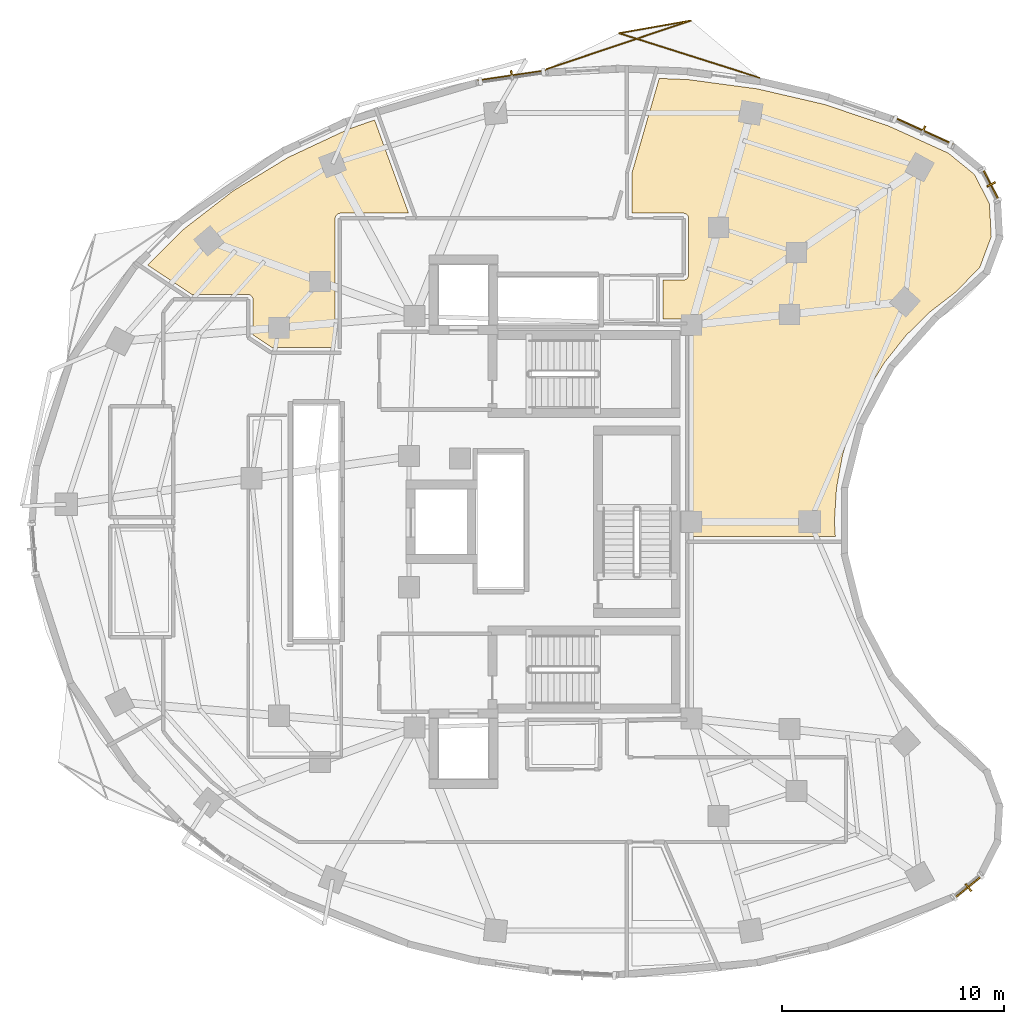
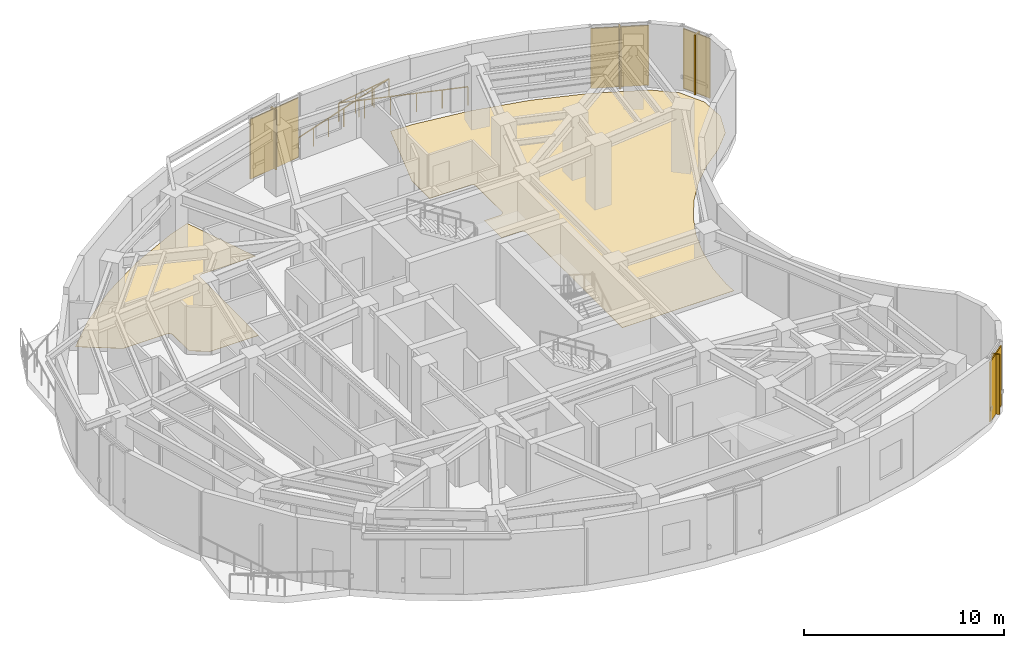
# One storey, part 13 of 13: 8 shading devices, 2 coverings, 1 railing.
"""IFC4 building model written with IfcOpenShell, lengths in metres."""

from ifc_helpers import new_model, si_unit, direction, frame, origin, origin_2d, place, context, subcontext, project, spatial, polyline, rectangle, outline, extrude, material, layer, layer_set, type_object, element, save


model = new_model("IFC4")

# Units and contexts
model_context = context("Model", 3, precision=1e-05, world=origin(), true_north=direction((0.0, 1.0)))
body_context = subcontext(model_context, "Body", "Model", "MODEL_VIEW")
ifc_project = project(units=[si_unit("LENGTHUNIT", "METRE"), si_unit("AREAUNIT", "SQUARE_METRE"), si_unit("VOLUMEUNIT", "CUBIC_METRE"), si_unit("PLANEANGLEUNIT", "RADIAN"), si_unit("MASSUNIT", "GRAM", prefix="KILO")], contexts=[model_context])

# Site, building, storey
site_placement = place(None, origin())
site = spatial("IfcSite", under=ifc_project, at=site_placement, CompositionType="ELEMENT")
building_placement = place(site_placement, origin())
building = spatial("IfcBuilding", under=site, at=building_placement, Name="Korentha Bioscience Tower", CompositionType="ELEMENT")
storey_placement = place(building_placement, frame((0.0, 0.0, 166.800048828125)))
storey = spatial("IfcBuildingStorey", under=building, at=storey_placement, Name="L38", CompositionType="ELEMENT", Elevation=166.800048828125)

# Railing
ifc_material_1 = material(Name="Laminated Tempered Safety Glass", Category="glass")
railing_type = type_object("IfcRailingType", Name="Laminated Glass Balcony Guardrail 1150", PredefinedType="BALUSTRADE", material=ifc_material_1)
railing_placement = place(storey_placement, frame((40.608154296875, 46.978515625, 0.0)))
element("IfcRailing", 1, at=railing_placement, inside=storey, type_object=railing_type, Name="L38 Balcony Guardrail 01", PredefinedType="BALUSTRADE", context=body_context, shape_type="SweptSolid", body=[
    extrude(rectangle(XDim=0.048095703125, YDim=0.048095703125, at=origin_2d()), frame((0.0, 0.0, 1.1259765625), z_axis=(-0.953172040784, 0.302428604249, 0.0), x_axis=(-0.302428604249, -0.953172040784, 0.0)), (0.0, 0.0, 1.0), 6.618896484375),
    extrude(rectangle(XDim=0.048095703125, YDim=0.048095703125, at=origin_2d()), frame((-6.308837890625, 2.001708984375, 1.1259765625), z_axis=(0.984798526591, 0.173700495176, 0.0), x_axis=(-0.173700495176, 0.984798526591, 0.0)), (0.0, 0.0, 1.0), 3.283203125),
    extrude(rectangle(XDim=0.048095703125, YDim=0.048095703125, at=origin_2d()), frame((-3.075439453125, 2.572021484375, 1.1259765625), z_axis=(-0.947727750915, -0.319080099891, 0.0), x_axis=(0.319080099891, -0.947727750915, 0.0)), (0.0, 0.0, 1.0), 6.8525390625),
    extrude(rectangle(XDim=0.0419921875, YDim=0.0419921875, at=origin_2d()), origin(), (0.0, 0.0, 1.0), 1.101806640625),
    extrude(rectangle(XDim=0.0419921875, YDim=0.0419921875, at=origin_2d()), frame((-1.26171875, 0.400390625, 0.0)), (0.0, 0.0, 1.0), 1.101806640625),
    extrude(rectangle(XDim=0.0419921875, YDim=0.0419921875, at=origin_2d()), frame((-2.5234375, 0.80078125, 0.0)), (0.0, 0.0, 1.0), 1.101806640625),
    extrude(rectangle(XDim=0.0419921875, YDim=0.0419921875, at=origin_2d()), frame((-3.785400390625, 1.200927734375, 0.0)), (0.0, 0.0, 1.0), 1.101806640625),
    extrude(rectangle(XDim=0.0419921875, YDim=0.0419921875, at=origin_2d()), frame((-5.047119140625, 1.601318359375, 0.0)), (0.0, 0.0, 1.0), 1.101806640625),
    extrude(rectangle(XDim=0.0419921875, YDim=0.0419921875, at=origin_2d()), frame((-6.308837890625, 2.001708984375, 0.0)), (0.0, 0.0, 1.0), 1.101806640625),
    extrude(rectangle(XDim=0.0419921875, YDim=0.0419921875, at=origin_2d()), frame((-5.23095703125, 2.19189453125, 0.0)), (0.0, 0.0, 1.0), 1.101806640625),
    extrude(rectangle(XDim=0.0419921875, YDim=0.0419921875, at=origin_2d()), frame((-4.1533203125, 2.3818359375, 0.0)), (0.0, 0.0, 1.0), 1.101806640625),
    extrude(rectangle(XDim=0.0419921875, YDim=0.0419921875, at=origin_2d()), frame((-3.075439453125, 2.572021484375, 0.0)), (0.0, 0.0, 1.0), 1.101806640625),
    extrude(rectangle(XDim=0.0419921875, YDim=0.0419921875, at=origin_2d()), frame((-4.15771484375, 2.20751953125, 0.0)), (0.0, 0.0, 1.0), 1.101806640625),
    extrude(rectangle(XDim=0.0419921875, YDim=0.0419921875, at=origin_2d()), frame((-5.240234375, 1.84326171875, 0.0)), (0.0, 0.0, 1.0), 1.101806640625),
    extrude(rectangle(XDim=0.0419921875, YDim=0.0419921875, at=origin_2d()), frame((-6.32275390625, 1.478759765625, 0.0)), (0.0, 0.0, 1.0), 1.101806640625),
    extrude(rectangle(XDim=0.0419921875, YDim=0.0419921875, at=origin_2d()), frame((-7.405029296875, 1.1142578125, 0.0)), (0.0, 0.0, 1.0), 1.101806640625),
    extrude(rectangle(XDim=0.0419921875, YDim=0.0419921875, at=origin_2d()), frame((-8.4873046875, 0.75, 0.0)), (0.0, 0.0, 1.0), 1.101806640625),
    extrude(rectangle(XDim=0.0419921875, YDim=0.0419921875, at=origin_2d()), frame((-9.56982421875, 0.385498046875, 0.0)), (0.0, 0.0, 1.0), 1.101806640625),
])

# Shading devices
ifc_material_2 = material(Name="Perforated Stone-Ceramic Composite", Category="masonry")
ifc_layer_1 = layer(ifc_material_2, 0.06494140625, Name="Perforated Stone-Ceramic Composite")
ifc_layer_set_1 = layer_set([ifc_layer_1], Name="Perforated Stone-Ceramic Composite (CS-01)")
shading_device_type_1 = type_object("IfcShadingDeviceType", Name="Perforated Stone-Ceramic Solar Screen Panel 65", PredefinedType="USERDEFINED", material=ifc_layer_set_1)
shading_device_1_placement = place(storey_placement, frame((47.978271484375, 44.59423828125, 0.0), z_axis=(0.0, 0.0, 1.0), x_axis=(-0.910644398392, 0.413190972406, 0.0)))
element("IfcShadingDevice", 2, at=shading_device_1_placement, inside=storey, type_object=shading_device_type_1, Name="CW-L38-01 Perforated Stone-Ceramic Solar Screen", ObjectType="SCREEN", PredefinedType="USERDEFINED", context=body_context, shape_type="SweptSolid", body=[
    extrude(rectangle(XDim=2.935302734375, YDim=0.06494140625, at=origin_2d()), origin(), (0.0, 0.0, 1.0), 3.64990234375),
])
shading_device_2_placement = place(storey_placement, frame((29.470703125, 47.073974609375, 0.0), z_axis=(0.0, 0.0, 1.0), x_axis=(-0.989461919888, -0.144793332342, 0.0)))
element("IfcShadingDevice", 3, at=shading_device_2_placement, inside=storey, type_object=shading_device_type_1, Name="CW-L38-07 Perforated Stone-Ceramic Solar Screen", ObjectType="SCREEN", PredefinedType="USERDEFINED", context=body_context, shape_type="SweptSolid", body=[
    extrude(rectangle(XDim=3.086669921875, YDim=0.06494140625, at=origin_2d()), origin(), (0.0, 0.0, 1.0), 3.64990234375),
])
for number, where, z_axis, x_axis, name in (
    (4, (50.002197265625, 10.56005859375, 0.0), (0.0, 0.0, 1.0), (0.77425646139, 0.632871971251, 0.0), "CW-L38-37 Perforated Stone-Ceramic Solar Screen"),
    (5, (51.02587890625, 42.170166015625, 0.0), (0.0, 0.0, 1.0), (-0.45428845847, 0.890854643868, 0.0), "CW-L38-61 Perforated Stone-Ceramic Solar Screen"),
):
    element("IfcShadingDevice", number, at=place(storey_placement, frame(where, z_axis=z_axis, x_axis=x_axis)), inside=storey, type_object=shading_device_type_1, Name=name, ObjectType="SCREEN", PredefinedType="USERDEFINED", context=body_context, shape_type="SweptSolid", body=[
        extrude(rectangle(XDim=1.591796875, YDim=0.06494140625, at=origin_2d()), origin(), (0.0, 0.0, 1.0), 3.64990234375),
    ])

# Coverings
ifc_material_3 = material(Name="Chemical-Resistant Epoxy Resin", Category="polymer")
ifc_layer_2 = layer(ifc_material_3, 0.011962890625, Name="Chemical-Resistant Epoxy Resin")
ifc_layer_set_2 = layer_set([ifc_layer_2], Name="Chemical-Resistant Epoxy Resin (FL-EPX)")
covering_type = type_object("IfcCoveringType", Name="Seamless Epoxy Laboratory Flooring 12", PredefinedType="FLOORING", material=ifc_layer_set_2)
covering_1_placement = place(storey_placement, origin())
element("IfcCovering", 6, at=covering_1_placement, inside=storey, type_object=covering_type, Name="L38 Vaccine Formulation Cleanroom 05 Floor Finish", PredefinedType="FLOORING", context=body_context, shape_type="SweptSolid", body=[
    extrude(outline(polyline([(36.105712890625, 46.94580078125), (37.40185546875, 46.893798828125), (40.5166015625, 46.476318359375), (43.5419921875, 45.775146484375), (46.433837890625, 44.801025390625), (49.11376953125, 43.5849609375), (50.289306640625, 42.6240234375), (50.96044921875, 41.307861328125), (51.04541015625, 39.832763671875), (50.52978515625, 38.44775390625), (49.452392578125, 37.33740234375), (48.28173828125, 36.435791015625), (47.217041015625, 35.3896484375), (46.243408203125, 34.16552734375), (45.44091796875, 32.850341796875), (44.814208984375, 31.468994140625), (44.35546875, 30.004638671875), (44.079833984375, 28.50048828125), (43.989501953125, 27.022705078125), (44.029052734375, 26.327880859375), (37.580078125, 26.327880859375), (37.57763671875, 35.933349609375), (37.52001953125, 36.0546875), (37.44873046875, 36.107666015625), (37.38427734375, 36.12744140625), (36.280029296875, 36.1298828125), (36.280029296875, 37.8701171875), (37.234130859375, 37.87255859375), (37.35400390625, 37.92919921875), (37.423095703125, 38.043701171875), (37.427490234375, 40.68408203125), (37.3974609375, 40.767822265625), (37.35400390625, 40.82080078125), (37.27783203125, 40.866455078125), (37.2119140625, 40.879638671875), (34.8720703125, 40.8798828125), (34.8720703125, 42.669677734375), (36.105712890625, 46.94580078125)])), origin(), (0.0, 0.0, 1.0), 0.011962890625),
])
covering_2_placement = place(storey_placement, origin())
element("IfcCovering", 7, at=covering_2_placement, inside=storey, type_object=covering_type, Name="L38 Cold-Chain Stability Chamber 07 Floor Finish", PredefinedType="FLOORING", context=body_context, shape_type="SweptSolid", body=[
    extrude(outline(polyline([(14.726806640625, 40.175537109375), (16.940673828125, 41.890380859375), (19.41064453125, 43.3916015625), (22.100830078125, 44.656005859375), (23.29833984375, 45.07666015625), (24.825927734375, 40.8798828125), (21.7392578125, 40.879638671875), (21.632080078125, 40.847412109375), (21.552490234375, 40.767822265625), (21.52001953125, 40.64990234375), (21.52001953125, 34.830078125), (18.699462890625, 34.830078125), (17.830078125, 35.406005859375), (17.82958984375, 37.01171875), (17.797119140625, 37.11865234375), (17.71875, 37.197021484375), (17.60009765625, 37.22998046875), (15.07568359375, 37.22998046875), (13.081787109375, 38.550537109375), (14.726806640625, 40.175537109375)])), origin(), (0.0, 0.0, 1.0), 0.011962890625),
])

# Shading devices
ifc_material_4 = material(Name="Honed Travertine Limestone", Category="masonry")
ifc_layer_3 = layer(ifc_material_4, 0.080078125, Name="Honed Travertine Limestone")
ifc_layer_set_3 = layer_set([ifc_layer_3], Name="Honed Travertine Limestone (CS-02)")
shading_device_type_2 = type_object("IfcShadingDeviceType", Name="Vertical Honed Limestone Sunshade Fin 80x420", PredefinedType="USERDEFINED", material=ifc_layer_set_3)
for number, where, z_axis, x_axis, name in (
    (8, (47.986572265625, 44.612548828125, 0.0), (0.0, 0.0, 1.0), (-0.910644398392, 0.413190972406, 0.0), "CW-L38-01 Limestone Sunshade Fin"),
    (9, (29.4677734375, 47.09375, 0.0), (0.0, 0.0, 1.0), (-0.989461919888, -0.144793332342, 0.0), "CW-L38-07 Limestone Sunshade Fin"),
    (10, (50.0146484375, 10.54443359375, 0.0), (0.0, 0.0, 1.0), (0.77425646139, 0.632871971251, 0.0), "CW-L38-37 Limestone Sunshade Fin"),
    (11, (51.043701171875, 42.17919921875, 0.0), (0.0, 0.0, 1.0), (-0.45428845847, 0.890854643868, 0.0), "CW-L38-61 Limestone Sunshade Fin"),
):
    element("IfcShadingDevice", number, at=place(storey_placement, frame(where, z_axis=z_axis, x_axis=x_axis)), inside=storey, type_object=shading_device_type_2, Name=name, ObjectType="SCREEN", PredefinedType="USERDEFINED", context=body_context, shape_type="SweptSolid", body=[
        extrude(rectangle(XDim=0.080078125, YDim=0.419921875, at=origin_2d()), origin(), (0.0, 0.0, 1.0), 3.64990234375),
    ])

save(model, "model.ifc")
